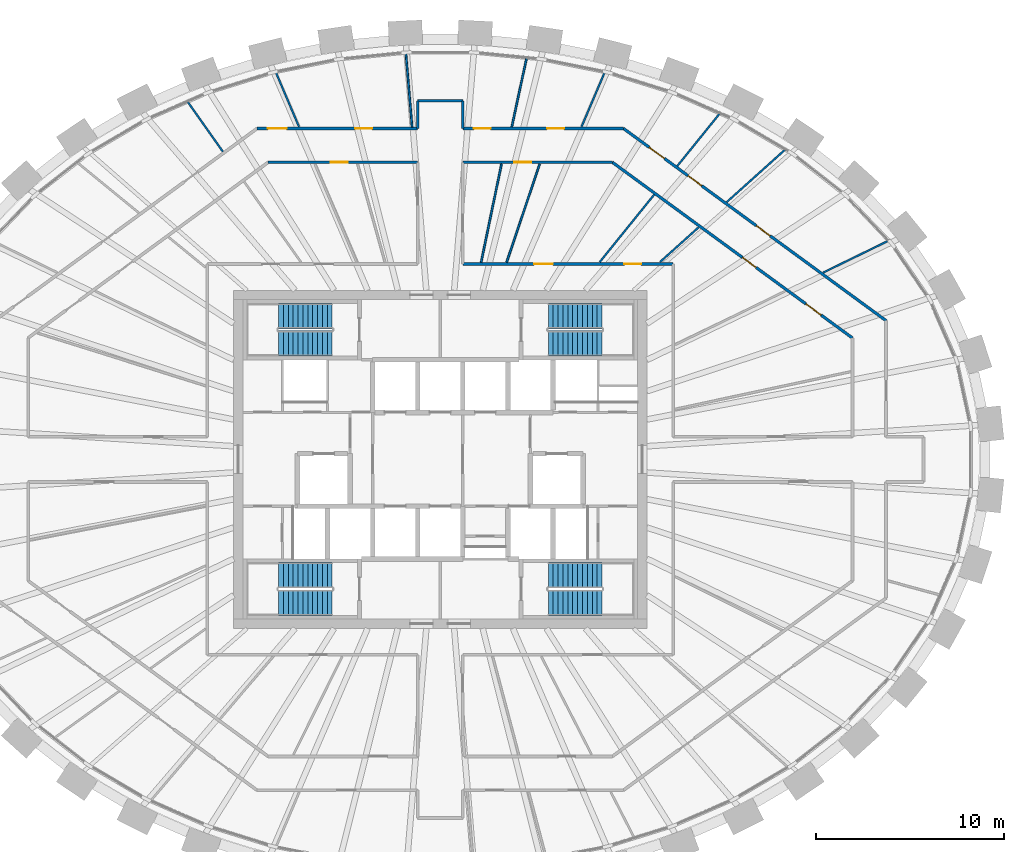
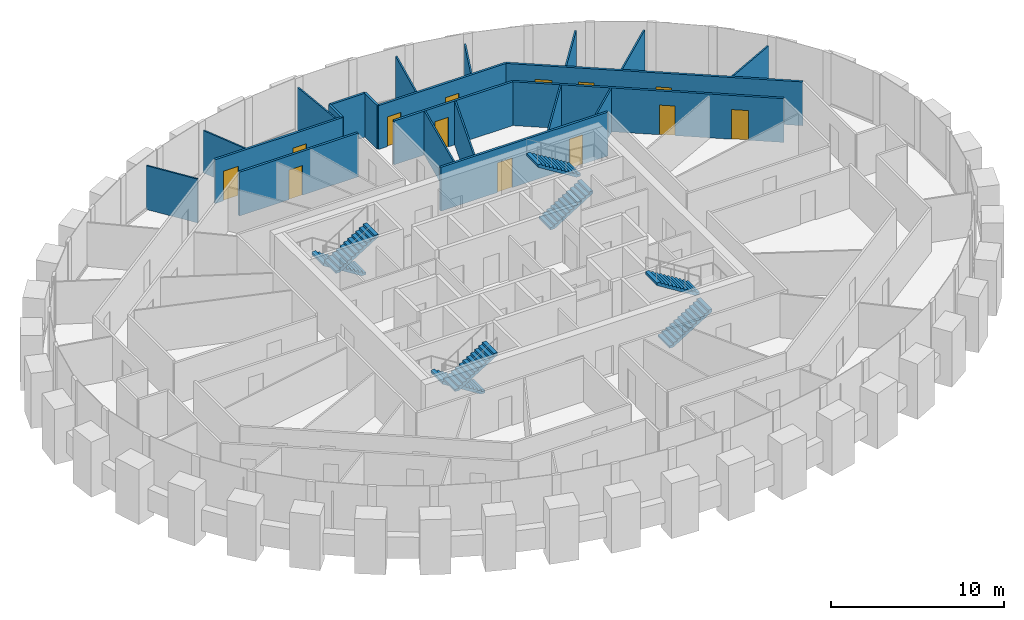
# One storey, part 10 of 11: 22 walls, 13 doors, 8 stair flights, 13 openings, 4 elements without a shape of their own.
"""IFC4 building model written with IfcOpenShell, lengths in metres."""

from ifc_helpers import new_model, si_unit, direction, frame, frame_2d, origin, place, context, subcontext, project, spatial, polyline, rectangle, outline, extrude, source, transform, mapped, material, layer, layer_set, type_object, element, fill, aggregate, save


model = new_model("IFC4")

# Units and contexts
model_context = context("Model", 3, precision=1e-05, world=origin(), true_north=direction((0.0, 1.0)))
body_context = subcontext(model_context, "Body", "Model", "MODEL_VIEW")
ifc_project = project(units=[si_unit("LENGTHUNIT", "METRE"), si_unit("AREAUNIT", "SQUARE_METRE"), si_unit("VOLUMEUNIT", "CUBIC_METRE"), si_unit("PLANEANGLEUNIT", "RADIAN"), si_unit("MASSUNIT", "GRAM", prefix="KILO")], contexts=[model_context])

# Site, building, storey
site_placement = place(None, origin())
site = spatial("IfcSite", under=ifc_project, at=site_placement, CompositionType="ELEMENT")
building_placement = place(site_placement, origin())
building = spatial("IfcBuilding", under=site, at=building_placement, Name="Embergate Tower", CompositionType="ELEMENT")
storey_placement = place(building_placement, frame((0.0, 0.0, 324.699951171875)))
storey = spatial("IfcBuildingStorey", under=building, at=storey_placement, Name="L76", CompositionType="ELEMENT", Elevation=324.699951171875)

# Wall, openings, doors
ifc_material_1 = material(Name="Corridor wall dry-lined 150")
ifc_layer_1 = layer(ifc_material_1, 0.14990234375)
ifc_layer_set_1 = layer_set([ifc_layer_1], Name="Corridor wall dry-lined 150")
wall_type_1 = type_object("IfcWallType", Name="Corridor wall dry-lined 150", PredefinedType="PARTITIONING", material=ifc_layer_set_1)
shared_shape_1 = source(origin(), body_context, "Body", "SweptSolid", [
    extrude(rectangle(XDim=11.199951171875, YDim=0.14990234375, at=frame_2d((5.60009765625, 0.0))), origin(), (0.0, 0.0, 1.0), 3.10009765625),
])
wall_1_placement = place(storey_placement, frame((12.39990234375, 10.39990234375, 0.0), z_axis=(0.0, 0.0, 1.0), x_axis=(-1.0, 0.0, 0.0)))
wall_1 = element("IfcWall", 1, at=wall_1_placement, inside=storey, type_object=wall_type_1, Name="IP-2 wall", PredefinedType="PARTITIONING", context=body_context, shape_type="MappedRepresentation", body=[
    mapped(shared_shape_1, transform((0.0, 0.0, 0.0))),
])
shared_shape_2 = source(origin(), body_context, "Body", "SweptSolid", [
    extrude(rectangle(XDim=0.89990234375, YDim=2.10009765625, at=frame_2d((0.449951171875, 1.050048828125))), frame((0.0, 0.0849609375, 0.0), z_axis=(0.0, -1.0, 0.0), x_axis=(1.0, 0.0, 0.0)), (0.0, 0.0, 1.0), 0.169921875),
])
opening_1_placement = place(wall_1_placement, frame((1.705078125, 0.0, 0.0)))
opening_1 = element("IfcOpeningElement", 2, at=opening_1_placement, cuts=wall_1, Name="Opening IF-1c", PredefinedType="OPENING", context=body_context, shape_type="MappedRepresentation", body=[
    mapped(shared_shape_2, transform((0.0, 0.0, 0.0))),
])
shared_shape_3 = source(origin(), body_context, "Body", "SweptSolid", [
    extrude(rectangle(XDim=1.0, YDim=2.10009765625, at=frame_2d((0.5, 1.050048828125))), frame((0.0, 0.0849609375, 0.0), z_axis=(0.0, -1.0, 0.0), x_axis=(1.0, 0.0, 0.0)), (0.0, 0.0, 1.0), 0.169921875),
])
opening_2_placement = place(wall_1_placement, frame((6.410888671875, 0.0, 0.0)))
opening_2 = element("IfcOpeningElement", 3, at=opening_2_placement, cuts=wall_1, Name="Opening ID-2", PredefinedType="OPENING", context=body_context, shape_type="MappedRepresentation", body=[
    mapped(shared_shape_3, transform((0.0, 0.0, 0.0))),
])
ifc_material_2 = material(Name="Escape fire door 900")
door_type_1 = type_object("IfcDoorType", Name="Escape fire door 900", OperationType="SINGLE_SWING_LEFT", PredefinedType="DOOR", material=ifc_material_2)
shared_shape_4 = source(origin(), body_context, "Body", "SweptSolid", [
    extrude(rectangle(XDim=0.89990234375, YDim=2.10009765625, at=frame_2d((0.449951171875, 1.050048828125))), frame((0.0, 0.02490234375, 0.0), z_axis=(0.0, -1.0, 0.0), x_axis=(1.0, 0.0, 0.0)), (0.0, 0.0, 1.0), 0.050048828125),
])
door_1_placement = place(opening_1_placement, origin())
door_1 = element("IfcDoor", 4, at=door_1_placement, inside=storey, type_object=door_type_1, Name="IF-1 door", OperationType="SINGLE_SWING_RIGHT", OverallHeight=2.10009765625, OverallWidth=0.89990234375, PredefinedType="DOOR", context=body_context, shape_type="MappedRepresentation", body=[
    mapped(shared_shape_4, transform((0.0, 0.0, 0.0))),
])
fill(opening_1, door_1)
ifc_material_3 = material(Name="Interior door 1000")
door_type_2 = type_object("IfcDoorType", Name="Interior door 1000", OperationType="SINGLE_SWING_LEFT", PredefinedType="DOOR", material=ifc_material_3)
shared_shape_5 = source(origin(), body_context, "Body", "SweptSolid", [
    extrude(rectangle(XDim=1.0, YDim=2.10009765625, at=frame_2d((0.5, 1.050048828125))), frame((0.0, 0.02490234375, 0.0), z_axis=(0.0, -1.0, 0.0), x_axis=(1.0, 0.0, 0.0)), (0.0, 0.0, 1.0), 0.050048828125),
])
door_2_placement = place(opening_2_placement, origin())
door_2 = element("IfcDoor", 5, at=door_2_placement, inside=storey, type_object=door_type_2, Name="ID-2 door", OperationType="SINGLE_SWING_RIGHT", OverallHeight=2.10009765625, OverallWidth=1.0, PredefinedType="DOOR", context=body_context, shape_type="MappedRepresentation", body=[
    mapped(shared_shape_5, transform((0.0, 0.0, 0.0))),
])
fill(opening_2, door_2)

# Wall
ifc_material_4 = material(Name="Corridor wall dry-lined 150 wet")
ifc_layer_2 = layer(ifc_material_4, 0.14990234375)
ifc_layer_set_2 = layer_set([ifc_layer_2], Name="Corridor wall dry-lined 150 wet")
wall_type_2 = type_object("IfcWallType", Name="Corridor wall dry-lined 150 wet", PredefinedType="PLUMBINGWALL", material=ifc_layer_set_2)
shared_shape_6 = source(origin(), body_context, "Body", "SweptSolid", [
    extrude(rectangle(XDim=2.39990234375, YDim=0.14990234375, at=frame_2d((1.199951171875, 0.0))), origin(), (0.0, 0.0, 1.0), 3.10009765625),
])
wall_2_placement = place(storey_placement, frame((-1.199951171875, 19.087890625, 0.0), z_axis=(0.0, 0.0, 1.0), x_axis=(1.0, 0.0, 0.0)))
element("IfcWall", 6, at=wall_2_placement, inside=storey, type_object=wall_type_2, Name="IP-2 wall", PredefinedType="PLUMBINGWALL", context=body_context, shape_type="MappedRepresentation", body=[
    mapped(shared_shape_6, transform((0.0, 0.0, 0.0))),
])

# Wall, openings, doors
shared_shape_7 = source(origin(), body_context, "Body", "SweptSolid", [
    extrude(rectangle(XDim=17.3251953125, YDim=0.14990234375, at=frame_2d((8.66259765625, 0.0))), origin(), (0.0, 0.0, 1.0), 3.10009765625),
])
wall_3_placement = place(storey_placement, frame((9.751953125, 17.611083984375, 0.0), z_axis=(0.0, 0.0, 1.0), x_axis=(0.806969554432, -0.590593039427, 0.0)))
wall_3 = element("IfcWall", 7, at=wall_3_placement, inside=storey, type_object=wall_type_1, Name="IP-2 wall", PredefinedType="PARTITIONING", context=body_context, shape_type="MappedRepresentation", body=[
    mapped(shared_shape_7, transform((0.0, 0.0, 0.0))),
])
opening_3_placement = place(wall_3_placement, frame((8.767578125, 0.0, 0.0)))
opening_3 = element("IfcOpeningElement", 8, at=opening_3_placement, cuts=wall_3, Name="Opening IF-1c", PredefinedType="OPENING", context=body_context, shape_type="MappedRepresentation", body=[
    mapped(shared_shape_2, transform((0.0, 0.0, 0.0))),
])
opening_4_placement = place(wall_3_placement, frame((4.255615234375, 0.0, 0.0)))
opening_4 = element("IfcOpeningElement", 9, at=opening_4_placement, cuts=wall_3, Name="Opening IF-1c", PredefinedType="OPENING", context=body_context, shape_type="MappedRepresentation", body=[
    mapped(shared_shape_2, transform((0.0, 0.0, 0.0))),
])
opening_5_placement = place(wall_3_placement, frame((1.69970703125, 0.0, 0.0)))
opening_5 = element("IfcOpeningElement", 10, at=opening_5_placement, cuts=wall_3, Name="Opening ID-2", PredefinedType="OPENING", context=body_context, shape_type="MappedRepresentation", body=[
    mapped(shared_shape_3, transform((0.0, 0.0, 0.0))),
])
door_3_placement = place(opening_3_placement, origin())
door_3 = element("IfcDoor", 11, at=door_3_placement, inside=storey, type_object=door_type_1, Name="IF-1 door", OperationType="SINGLE_SWING_LEFT", OverallHeight=2.10009765625, OverallWidth=0.89990234375, PredefinedType="DOOR", context=body_context, shape_type="MappedRepresentation", body=[
    mapped(shared_shape_4, transform((0.0, 0.0, 0.0))),
])
fill(opening_3, door_3)
door_4_placement = place(opening_4_placement, origin())
door_4 = element("IfcDoor", 12, at=door_4_placement, inside=storey, type_object=door_type_1, Name="IF-1 door", OperationType="SINGLE_SWING_LEFT", OverallHeight=2.10009765625, OverallWidth=0.89990234375, PredefinedType="DOOR", context=body_context, shape_type="MappedRepresentation", body=[
    mapped(shared_shape_4, transform((0.0, 0.0, 0.0))),
])
fill(opening_4, door_4)
door_5_placement = place(opening_5_placement, origin())
door_5 = element("IfcDoor", 13, at=door_5_placement, inside=storey, type_object=door_type_2, Name="ID-2 door", OperationType="SINGLE_SWING_LEFT", OverallHeight=2.10009765625, OverallWidth=1.0, PredefinedType="DOOR", context=body_context, shape_type="MappedRepresentation", body=[
    mapped(shared_shape_5, transform((0.0, 0.0, 0.0))),
])
fill(opening_5, door_5)

shared_shape_8 = source(origin(), body_context, "Body", "SweptSolid", [
    extrude(rectangle(XDim=15.82470703125, YDim=0.14990234375, at=frame_2d((7.912353515625, 0.0))), origin(), (0.0, 0.0, 1.0), 3.10009765625),
])
wall_4_placement = place(storey_placement, frame((9.1630859375, 15.81103515625, 0.0), z_axis=(0.0, 0.0, 1.0), x_axis=(0.80696917181, -0.590593562231, 0.0)))
wall_4 = element("IfcWall", 14, at=wall_4_placement, inside=storey, type_object=wall_type_1, Name="IP-2 wall", PredefinedType="PARTITIONING", context=body_context, shape_type="MappedRepresentation", body=[
    mapped(shared_shape_8, transform((0.0, 0.0, 0.0))),
])
opening_6_placement = place(wall_4_placement, frame((12.764892578125, 0.0, 0.0)))
opening_6 = element("IfcOpeningElement", 15, at=opening_6_placement, cuts=wall_4, Name="Opening ID-2", PredefinedType="OPENING", context=body_context, shape_type="MappedRepresentation", body=[
    mapped(shared_shape_3, transform((0.0, 0.0, 0.0))),
])
opening_7_placement = place(wall_4_placement, frame((8.576904296875, 0.0, 0.0)))
opening_7 = element("IfcOpeningElement", 16, at=opening_7_placement, cuts=wall_4, Name="Opening IF-1c", PredefinedType="OPENING", context=body_context, shape_type="MappedRepresentation", body=[
    mapped(shared_shape_2, transform((0.0, 0.0, 0.0))),
])
door_6_placement = place(opening_7_placement, origin())
door_6 = element("IfcDoor", 17, at=door_6_placement, inside=storey, type_object=door_type_1, Name="IF-1 door", OperationType="SINGLE_SWING_RIGHT", OverallHeight=2.10009765625, OverallWidth=0.89990234375, PredefinedType="DOOR", context=body_context, shape_type="MappedRepresentation", body=[
    mapped(shared_shape_4, transform((0.0, 0.0, 0.0))),
])
fill(opening_7, door_6)
door_7_placement = place(opening_6_placement, origin())
door_7 = element("IfcDoor", 18, at=door_7_placement, inside=storey, type_object=door_type_2, Name="ID-2 door", OperationType="SINGLE_SWING_LEFT", OverallHeight=2.10009765625, OverallWidth=1.0, PredefinedType="DOOR", context=body_context, shape_type="MappedRepresentation", body=[
    mapped(shared_shape_5, transform((0.0, 0.0, 0.0))),
])
fill(opening_6, door_7)

shared_shape_9 = source(origin(), body_context, "Body", "SweptSolid", [
    extrude(rectangle(XDim=8.552001953125, YDim=0.14990234375, at=frame_2d((4.27587890625, 0.0))), origin(), (0.0, 0.0, 1.0), 3.10009765625),
])
wall_5_placement = place(storey_placement, frame((9.751953125, 17.611083984375, 0.0), z_axis=(0.0, 0.0, 1.0), x_axis=(-1.0, 0.0, 0.0)))
wall_5 = element("IfcWall", 19, at=wall_5_placement, inside=storey, type_object=wall_type_1, Name="IP-2 wall", PredefinedType="PARTITIONING", context=body_context, shape_type="MappedRepresentation", body=[
    mapped(shared_shape_9, transform((0.0, 0.0, 0.0))),
])
opening_8_placement = place(wall_5_placement, frame((3.163818359375, 0.0, 0.0)))
opening_8 = element("IfcOpeningElement", 20, at=opening_8_placement, cuts=wall_5, Name="Opening IF-1c", PredefinedType="OPENING", context=body_context, shape_type="MappedRepresentation", body=[
    mapped(shared_shape_2, transform((0.0, 0.0, 0.0))),
])
opening_9_placement = place(wall_5_placement, frame((7.06884765625, 0.0, 0.0)))
opening_9 = element("IfcOpeningElement", 21, at=opening_9_placement, cuts=wall_5, Name="Opening IF-1c", PredefinedType="OPENING", context=body_context, shape_type="MappedRepresentation", body=[
    mapped(shared_shape_2, transform((0.0, 0.0, 0.0))),
])
door_8_placement = place(opening_8_placement, origin())
door_8 = element("IfcDoor", 22, at=door_8_placement, inside=storey, type_object=door_type_1, Name="IF-1 door", OperationType="SINGLE_SWING_RIGHT", OverallHeight=2.10009765625, OverallWidth=0.89990234375, PredefinedType="DOOR", context=body_context, shape_type="MappedRepresentation", body=[
    mapped(shared_shape_4, transform((0.0, 0.0, 0.0))),
])
fill(opening_8, door_8)
door_9_placement = place(opening_9_placement, origin())
door_9 = element("IfcDoor", 23, at=door_9_placement, inside=storey, type_object=door_type_1, Name="IF-1 door", OperationType="SINGLE_SWING_LEFT", OverallHeight=2.10009765625, OverallWidth=0.89990234375, PredefinedType="DOOR", context=body_context, shape_type="MappedRepresentation", body=[
    mapped(shared_shape_4, transform((0.0, 0.0, 0.0))),
])
fill(opening_9, door_9)

wall_6_placement = place(storey_placement, frame((-9.751953125, 17.611083984375, 0.0), z_axis=(0.0, 0.0, 1.0), x_axis=(1.0, 0.0, 0.0)))
wall_6 = element("IfcWall", 24, at=wall_6_placement, inside=storey, type_object=wall_type_2, Name="IP-2 wall", PredefinedType="PLUMBINGWALL", context=body_context, shape_type="MappedRepresentation", body=[
    mapped(shared_shape_9, transform((0.0, 0.0, 0.0))),
])
opening_10_placement = place(wall_6_placement, frame((5.2197265625, 0.0, 0.0)))
opening_10 = element("IfcOpeningElement", 25, at=opening_10_placement, cuts=wall_6, Name="Opening IF-1c", PredefinedType="OPENING", context=body_context, shape_type="MappedRepresentation", body=[
    mapped(shared_shape_2, transform((0.0, 0.0, 0.0))),
])
opening_11_placement = place(wall_6_placement, frame((0.576904296875, 0.0, 0.0)))
opening_11 = element("IfcOpeningElement", 26, at=opening_11_placement, cuts=wall_6, Name="Opening ID-2", PredefinedType="OPENING", context=body_context, shape_type="MappedRepresentation", body=[
    mapped(shared_shape_3, transform((0.0, 0.0, 0.0))),
])
door_10_placement = place(opening_10_placement, origin())
door_10 = element("IfcDoor", 27, at=door_10_placement, inside=storey, type_object=door_type_1, Name="IF-1 door", OperationType="SINGLE_SWING_LEFT", OverallHeight=2.10009765625, OverallWidth=0.89990234375, PredefinedType="DOOR", context=body_context, shape_type="MappedRepresentation", body=[
    mapped(shared_shape_4, transform((0.0, 0.0, 0.0))),
])
fill(opening_10, door_10)
door_11_placement = place(opening_11_placement, origin())
door_11 = element("IfcDoor", 28, at=door_11_placement, inside=storey, type_object=door_type_2, Name="ID-2 door", OperationType="SINGLE_SWING_LEFT", OverallHeight=2.10009765625, OverallWidth=1.0, PredefinedType="DOOR", context=body_context, shape_type="MappedRepresentation", body=[
    mapped(shared_shape_5, transform((0.0, 0.0, 0.0))),
])
fill(opening_11, door_11)

# Walls
shared_shape_10 = source(origin(), body_context, "Body", "SweptSolid", [
    extrude(rectangle(XDim=1.476806640625, YDim=0.14990234375, at=frame_2d((0.73828125, 0.0))), origin(), (0.0, 0.0, 1.0), 3.10009765625),
])
for number, where, z_axis, x_axis, name in (
    (29, (-1.199951171875, 17.611083984375, 0.0), (0.0, 0.0, 1.0), (0.0, 1.0, 0.0), "IP-2 wall"),
    (30, (1.199951171875, 19.087890625, 0.0), (0.0, 0.0, 1.0), (0.0, -1.0, 0.0), "IP-2 wall"),
):
    element("IfcWall", number, at=place(storey_placement, frame(where, z_axis=z_axis, x_axis=x_axis)), inside=storey, type_object=wall_type_2, Name=name, PredefinedType="PLUMBINGWALL", context=body_context, shape_type="MappedRepresentation", body=[
        mapped(shared_shape_10, transform((0.0, 0.0, 0.0))),
    ])

# Wall, opening, door
shared_shape_11 = source(origin(), body_context, "Body", "SweptSolid", [
    extrude(rectangle(XDim=7.963134765625, YDim=0.14990234375, at=frame_2d((3.9814453125, 0.0))), origin(), (0.0, 0.0, 1.0), 3.10009765625),
])
wall_7_placement = place(storey_placement, frame((1.199951171875, 15.81103515625, 0.0), z_axis=(0.0, 0.0, 1.0), x_axis=(1.0, 0.0, 0.0)))
wall_7 = element("IfcWall", 31, at=wall_7_placement, inside=storey, type_object=wall_type_1, Name="IP-2 wall", PredefinedType="PARTITIONING", context=body_context, shape_type="MappedRepresentation", body=[
    mapped(shared_shape_11, transform((0.0, 0.0, 0.0))),
])
opening_12_placement = place(wall_7_placement, frame((2.73095703125, 0.0, 0.0)))
opening_12 = element("IfcOpeningElement", 32, at=opening_12_placement, cuts=wall_7, Name="Opening IF-1c", PredefinedType="OPENING", context=body_context, shape_type="MappedRepresentation", body=[
    mapped(shared_shape_2, transform((0.0, 0.0, 0.0))),
])
door_12_placement = place(opening_12_placement, origin())
door_12 = element("IfcDoor", 33, at=door_12_placement, inside=storey, type_object=door_type_1, Name="IF-1 door", OperationType="SINGLE_SWING_RIGHT", OverallHeight=2.10009765625, OverallWidth=0.89990234375, PredefinedType="DOOR", context=body_context, shape_type="MappedRepresentation", body=[
    mapped(shared_shape_4, transform((0.0, 0.0, 0.0))),
])
fill(opening_12, door_12)

wall_8_placement = place(storey_placement, frame((-1.199951171875, 15.81103515625, 0.0), z_axis=(0.0, 0.0, 1.0), x_axis=(-1.0, 0.0, 0.0)))
wall_8 = element("IfcWall", 34, at=wall_8_placement, inside=storey, type_object=wall_type_2, Name="IP-2 wall", PredefinedType="PLUMBINGWALL", context=body_context, shape_type="MappedRepresentation", body=[
    mapped(shared_shape_11, transform((0.0, 0.0, 0.0))),
])
opening_13_placement = place(wall_8_placement, frame((3.73193359375, 0.0, 0.0)))
opening_13 = element("IfcOpeningElement", 35, at=opening_13_placement, cuts=wall_8, Name="Opening IF-1c", PredefinedType="OPENING", context=body_context, shape_type="MappedRepresentation", body=[
    mapped(shared_shape_2, transform((0.0, 0.0, 0.0))),
])
door_13_placement = place(opening_13_placement, origin())
door_13 = element("IfcDoor", 36, at=door_13_placement, inside=storey, type_object=door_type_1, Name="IF-1 door", OperationType="SINGLE_SWING_RIGHT", OverallHeight=2.10009765625, OverallWidth=0.89990234375, PredefinedType="DOOR", context=body_context, shape_type="MappedRepresentation", body=[
    mapped(shared_shape_4, transform((0.0, 0.0, 0.0))),
])
fill(opening_13, door_13)

# Walls
ifc_material_5 = material(Name="Partition dry-lined 100")
ifc_layer_3 = layer(ifc_material_5, 0.10009765625)
ifc_layer_set_3 = layer_set([ifc_layer_3], Name="Partition dry-lined 100")
wall_type_3 = type_object("IfcWallType", Name="Partition dry-lined 100", PredefinedType="PARTITIONING", material=ifc_layer_set_3)
shared_shape_12 = source(origin(), body_context, "Body", "SweptSolid", [
    extrude(rectangle(XDim=3.877685546875, YDim=0.10009765625, at=frame_2d((1.93896484375, 0.0))), origin(), (0.0, 0.0, 1.0), 3.0),
])
wall_9_placement = place(storey_placement, frame((20.389892578125, 9.947021484375, 0.0), z_axis=(0.0, 0.0, 1.0), x_axis=(0.898778732273, 0.438402543805, 0.0)))
element("IfcWall", 37, at=wall_9_placement, inside=storey, type_object=wall_type_3, Name="IP-1 wall", PredefinedType="PARTITIONING", context=body_context, shape_type="MappedRepresentation", body=[
    mapped(shared_shape_12, transform((0.0, 0.0, 0.0))),
])
shared_shape_13 = source(origin(), body_context, "Body", "SweptSolid", [
    extrude(rectangle(XDim=4.192138671875, YDim=0.10009765625, at=frame_2d((2.09619140625, 0.0))), origin(), (0.0, 0.0, 1.0), 3.10009765625),
])
wall_10_placement = place(storey_placement, frame((15.2470703125, 13.695068359375, 0.0), z_axis=(0.0, 0.0, 1.0), x_axis=(0.744003214363, 0.668176037447, 0.0)))
element("IfcWall", 38, at=wall_10_placement, inside=storey, type_object=wall_type_3, Name="IP-1 wall", PredefinedType="PARTITIONING", context=body_context, shape_type="MappedRepresentation", body=[
    mapped(shared_shape_13, transform((0.0, 0.0, 0.0))),
])
shared_shape_14 = source(origin(), body_context, "Body", "SweptSolid", [
    extrude(rectangle(XDim=3.6328125, YDim=0.10009765625, at=frame_2d((1.81640625, 0.0))), origin(), (0.0, 0.0, 1.0), 3.10009765625),
])
wall_11_placement = place(storey_placement, frame((12.613037109375, 15.610107421875, 0.0), z_axis=(0.0, 0.0, 1.0), x_axis=(0.628416881231, 0.777876740482, 0.0)))
element("IfcWall", 39, at=wall_11_placement, inside=storey, type_object=wall_type_3, Name="IP-1 wall", PredefinedType="PARTITIONING", context=body_context, shape_type="MappedRepresentation", body=[
    mapped(shared_shape_14, transform((0.0, 0.0, 0.0))),
])
ifc_material_6 = material(Name="Partition dry-lined 100 wet")
ifc_layer_4 = layer(ifc_material_6, 0.10009765625)
ifc_layer_set_4 = layer_set([ifc_layer_4], Name="Partition dry-lined 100 wet")
wall_type_4 = type_object("IfcWallType", Name="Partition dry-lined 100 wet", PredefinedType="PLUMBINGWALL", material=ifc_layer_set_4)
shared_shape_15 = source(origin(), body_context, "Body", "SweptSolid", [
    extrude(rectangle(XDim=3.1669921875, YDim=0.10009765625, at=frame_2d((1.58349609375, 0.0))), origin(), (0.0, 0.0, 1.0), 3.0),
])
for number, where, z_axis, x_axis, name in (
    (40, (7.52099609375, 17.7060546875, 0.0), (0.0, 0.0, 1.0), (0.390912099154, 0.920428014967, 0.0), "IP-1 wall"),
    (41, (-8.759033203125, 20.62109375, 0.0), (0.0, 0.0, 1.0), (0.390912099154, -0.920428014967, 0.0), "IP-1 wall"),
):
    element("IfcWall", number, at=place(storey_placement, frame(where, z_axis=z_axis, x_axis=x_axis)), inside=storey, type_object=wall_type_4, Name=name, PredefinedType="PLUMBINGWALL", context=body_context, shape_type="MappedRepresentation", body=[
        mapped(shared_shape_15, transform((0.0, 0.0, 0.0))),
    ])
shared_shape_16 = source(origin(), body_context, "Body", "SweptSolid", [
    extrude(rectangle(XDim=2.7490234375, YDim=0.10009765625, at=frame_2d((1.37451171875, 0.0))), origin(), (0.0, 0.0, 1.0), 3.10009765625),
])
wall_12_placement = place(storey_placement, frame((11.7041015625, 10.511962890625, 0.0), z_axis=(0.0, 0.0, 1.0), x_axis=(0.743885605378, 0.66830696997, 0.0)))
element("IfcWall", 42, at=wall_12_placement, inside=storey, type_object=wall_type_3, Name="IP-1 wall", PredefinedType="PARTITIONING", context=body_context, shape_type="MappedRepresentation", body=[
    mapped(shared_shape_16, transform((0.0, 0.0, 0.0))),
])
shared_shape_17 = source(origin(), body_context, "Body", "SweptSolid", [
    extrude(rectangle(XDim=4.60986328125, YDim=0.10009765625, at=frame_2d((2.304931640625, 0.0))), origin(), (0.0, 0.0, 1.0), 3.10009765625),
])
wall_13_placement = place(storey_placement, frame((8.489013671875, 10.506103515625, 0.0), z_axis=(0.0, 0.0, 1.0), x_axis=(0.628420928792, 0.777873470596, 0.0)))
element("IfcWall", 43, at=wall_13_placement, inside=storey, type_object=wall_type_3, Name="IP-1 wall", PredefinedType="PARTITIONING", context=body_context, shape_type="MappedRepresentation", body=[
    mapped(shared_shape_17, transform((0.0, 0.0, 0.0))),
])
shared_shape_18 = source(origin(), body_context, "Body", "SweptSolid", [
    extrude(rectangle(XDim=5.517333984375, YDim=0.10009765625, at=frame_2d((2.7587890625, 0.0))), origin(), (0.0, 0.0, 1.0), 3.10009765625),
])
wall_14_placement = place(storey_placement, frame((3.531005859375, 10.490966796875, 0.0), z_axis=(0.0, 0.0, 1.0), x_axis=(0.319000911792, 0.947754408207, 0.0)))
element("IfcWall", 44, at=wall_14_placement, inside=storey, type_object=wall_type_4, Name="IP-1 wall", PredefinedType="PLUMBINGWALL", context=body_context, shape_type="MappedRepresentation", body=[
    mapped(shared_shape_18, transform((0.0, 0.0, 0.0))),
])
shared_shape_19 = source(origin(), body_context, "Body", "SweptSolid", [
    extrude(rectangle(XDim=3.782470703125, YDim=0.10009765625, at=frame_2d((1.89111328125, 0.0))), origin(), (0.0, 0.0, 1.0), 3.10009765625),
])
wall_15_placement = place(storey_placement, frame((3.806884765625, 17.697021484375, 0.0), z_axis=(0.0, 0.0, 1.0), x_axis=(0.210221078053, 0.977653874509, 0.0)))
element("IfcWall", 45, at=wall_15_placement, inside=storey, type_object=wall_type_4, Name="IP-1 wall", PredefinedType="PLUMBINGWALL", context=body_context, shape_type="MappedRepresentation", body=[
    mapped(shared_shape_19, transform((0.0, 0.0, 0.0))),
])
shared_shape_20 = source(origin(), body_context, "Body", "SweptSolid", [
    extrude(rectangle(XDim=3.97021484375, YDim=0.10009765625, at=frame_2d((1.985107421875, 0.0))), origin(), (0.0, 0.0, 1.0), 3.0),
])
wall_16_placement = place(storey_placement, frame((-1.498046875, 17.68603515625, 0.0), z_axis=(0.0, 0.0, 1.0), x_axis=(-0.084368569091, 0.996434616294, 0.0)))
element("IfcWall", 46, at=wall_16_placement, inside=storey, type_object=wall_type_4, Name="IP-1 wall", PredefinedType="PLUMBINGWALL", context=body_context, shape_type="MappedRepresentation", body=[
    mapped(shared_shape_20, transform((0.0, 0.0, 0.0))),
])
shared_shape_21 = source(origin(), body_context, "Body", "SweptSolid", [
    extrude(rectangle(XDim=5.352294921875, YDim=0.10009765625, at=frame_2d((2.67626953125, 0.0))), origin(), (0.0, 0.0, 1.0), 3.10009765625),
])
wall_17_placement = place(storey_placement, frame((2.174072265625, 10.485107421875, 0.0), z_axis=(0.0, 0.0, 1.0), x_axis=(0.202892179752, 0.979201084249, 0.0)))
element("IfcWall", 47, at=wall_17_placement, inside=storey, type_object=wall_type_4, Name="IP-1 wall", PredefinedType="PLUMBINGWALL", context=body_context, shape_type="MappedRepresentation", body=[
    mapped(shared_shape_21, transform((0.0, 0.0, 0.0))),
])
shared_shape_22 = source(origin(), body_context, "Body", "SweptSolid", [
    extrude(rectangle(XDim=3.3017578125, YDim=0.10009765625, at=frame_2d((1.65087890625, 0.0))), origin(), (0.0, 0.0, 1.0), 3.10009765625),
])
wall_18_placement = place(storey_placement, frame((-11.568115234375, 16.375, 0.0), z_axis=(0.0, 0.0, 1.0), x_axis=(-0.57688638898, 0.816824396189, 0.0)))
element("IfcWall", 48, at=wall_18_placement, inside=storey, type_object=wall_type_3, Name="IP-1 wall", PredefinedType="PARTITIONING", context=body_context, shape_type="MappedRepresentation", body=[
    mapped(shared_shape_22, transform((0.0, 0.0, 0.0))),
])

# Stair, stair flights
ifc_material_7 = material(Name="Exit stair")
stair_type = type_object("IfcStairType", Name="Exit stair", PredefinedType="HALF_TURN_STAIR", material=ifc_material_7)
stair_1_placement = place(storey_placement, origin())
stair_1 = element("IfcStair", 49, at=stair_1_placement, inside=storey, type_object=stair_type, Name="L76 Exit stair 1", PredefinedType="HALF_TURN_STAIR")
ifc_material_8 = material(Name="Concrete C40", Category="concrete")
stair_flight_type = type_object("IfcStairFlightType", Name="Stair flight reinforced concrete", PredefinedType="STRAIGHT", material=ifc_material_8)
shared_shape_23 = source(origin(), body_context, "Body", "SweptSolid", [
    extrude(outline(polyline([(0.0, 0.0), (0.0, 0.16259765625), (0.260009765625, 0.16259765625), (0.260009765625, 0.324951171875), (0.52001953125, 0.324951171875), (0.52001953125, 0.487548828125), (0.780029296875, 0.487548828125), (0.780029296875, 0.64990234375), (1.0400390625, 0.64990234375), (1.0400390625, 0.8125), (1.300048828125, 0.8125), (1.300048828125, 0.97509765625), (1.56005859375, 0.97509765625), (1.56005859375, 1.137451171875), (1.820068359375, 1.137451171875), (1.820068359375, 1.300048828125), (2.080078125, 1.300048828125), (2.080078125, 1.46240234375), (2.340087890625, 1.46240234375), (2.340087890625, 1.625), (2.60009765625, 1.625), (2.60009765625, 1.78759765625), (2.860107421875, 1.78759765625), (2.860107421875, 1.949951171875), (2.860107421875, 1.61083984375), (0.28271484375, 0.0), (0.0, 0.0)])), frame((0.0, 0.675048828125, 0.0), z_axis=(0.0, -1.0, 0.0), x_axis=(1.0, 0.0, 0.0)), (0.0, 0.0, 1.0), 1.35009765625),
])
stair_flight_1_placement = place(storey_placement, frame((-5.75, 7.625, 0.0), z_axis=(0.0, 0.0, 1.0), x_axis=(-1.0, 0.0, 0.0)))
stair_flight_1 = element("IfcStairFlight", 50, at=stair_flight_1_placement, type_object=stair_flight_type, Name="ST1 flight 1", NumberOfRisers=12, NumberOfTreads=11, PredefinedType="STRAIGHT", RiserHeight=0.1625, TreadLength=0.26, context=body_context, shape_type="MappedRepresentation", body=[
    mapped(shared_shape_23, transform((0.0, 0.0, 0.0))),
])
stair_flight_2_placement = place(storey_placement, frame((-8.610107421875, 6.175048828125, 1.949951171875), z_axis=(0.0, 0.0, 1.0), x_axis=(1.0, 0.0, 0.0)))
stair_flight_2 = element("IfcStairFlight", 51, at=stair_flight_2_placement, type_object=stair_flight_type, Name="ST1 flight 2", NumberOfRisers=12, NumberOfTreads=11, PredefinedType="STRAIGHT", RiserHeight=0.1625, TreadLength=0.26, context=body_context, shape_type="MappedRepresentation", body=[
    mapped(shared_shape_23, transform((0.0, 0.0, 0.0))),
])
aggregate(stair_1, [stair_flight_1, stair_flight_2])

stair_2_placement = place(storey_placement, origin())
stair_2 = element("IfcStair", 52, at=stair_2_placement, inside=storey, type_object=stair_type, Name="L76 Exit stair 2", PredefinedType="HALF_TURN_STAIR")
stair_flight_3_placement = place(storey_placement, frame((5.75, 6.175048828125, 0.0), z_axis=(0.0, 0.0, 1.0), x_axis=(1.0, 0.0, 0.0)))
stair_flight_3 = element("IfcStairFlight", 53, at=stair_flight_3_placement, type_object=stair_flight_type, Name="ST2 flight 1", NumberOfRisers=12, NumberOfTreads=11, PredefinedType="STRAIGHT", RiserHeight=0.1625, TreadLength=0.26, context=body_context, shape_type="MappedRepresentation", body=[
    mapped(shared_shape_23, transform((0.0, 0.0, 0.0))),
])
stair_flight_4_placement = place(storey_placement, frame((8.610107421875, 7.625, 1.949951171875), z_axis=(0.0, 0.0, 1.0), x_axis=(-1.0, 0.0, 0.0)))
stair_flight_4 = element("IfcStairFlight", 54, at=stair_flight_4_placement, type_object=stair_flight_type, Name="ST2 flight 2", NumberOfRisers=12, NumberOfTreads=11, PredefinedType="STRAIGHT", RiserHeight=0.1625, TreadLength=0.26, context=body_context, shape_type="MappedRepresentation", body=[
    mapped(shared_shape_23, transform((0.0, 0.0, 0.0))),
])
aggregate(stair_2, [stair_flight_3, stair_flight_4])

stair_3_placement = place(storey_placement, origin())
stair_3 = element("IfcStair", 55, at=stair_3_placement, inside=storey, type_object=stair_type, Name="L76 Exit stair 3", PredefinedType="HALF_TURN_STAIR")
stair_flight_5_placement = place(storey_placement, frame((-5.75, -6.175048828125, 0.0), z_axis=(0.0, 0.0, 1.0), x_axis=(-1.0, 0.0, 0.0)))
stair_flight_5 = element("IfcStairFlight", 56, at=stair_flight_5_placement, type_object=stair_flight_type, Name="ST3 flight 1", NumberOfRisers=12, NumberOfTreads=11, PredefinedType="STRAIGHT", RiserHeight=0.1625, TreadLength=0.26, context=body_context, shape_type="MappedRepresentation", body=[
    mapped(shared_shape_23, transform((0.0, 0.0, 0.0))),
])
stair_flight_6_placement = place(storey_placement, frame((-8.610107421875, -7.625, 1.949951171875), z_axis=(0.0, 0.0, 1.0), x_axis=(1.0, 0.0, 0.0)))
stair_flight_6 = element("IfcStairFlight", 57, at=stair_flight_6_placement, type_object=stair_flight_type, Name="ST3 flight 2", NumberOfRisers=12, NumberOfTreads=11, PredefinedType="STRAIGHT", RiserHeight=0.1625, TreadLength=0.26, context=body_context, shape_type="MappedRepresentation", body=[
    mapped(shared_shape_23, transform((0.0, 0.0, 0.0))),
])
aggregate(stair_3, [stair_flight_5, stair_flight_6])

stair_4_placement = place(storey_placement, origin())
stair_4 = element("IfcStair", 58, at=stair_4_placement, inside=storey, type_object=stair_type, Name="L76 Exit stair 4", PredefinedType="HALF_TURN_STAIR")
stair_flight_7_placement = place(storey_placement, frame((5.75, -7.625, 0.0), z_axis=(0.0, 0.0, 1.0), x_axis=(1.0, 0.0, 0.0)))
stair_flight_7 = element("IfcStairFlight", 59, at=stair_flight_7_placement, type_object=stair_flight_type, Name="ST4 flight 1", NumberOfRisers=12, NumberOfTreads=11, PredefinedType="STRAIGHT", RiserHeight=0.1625, TreadLength=0.26, context=body_context, shape_type="MappedRepresentation", body=[
    mapped(shared_shape_23, transform((0.0, 0.0, 0.0))),
])
stair_flight_8_placement = place(storey_placement, frame((8.610107421875, -6.175048828125, 1.949951171875), z_axis=(0.0, 0.0, 1.0), x_axis=(-1.0, 0.0, 0.0)))
stair_flight_8 = element("IfcStairFlight", 60, at=stair_flight_8_placement, type_object=stair_flight_type, Name="ST4 flight 2", NumberOfRisers=12, NumberOfTreads=11, PredefinedType="STRAIGHT", RiserHeight=0.1625, TreadLength=0.26, context=body_context, shape_type="MappedRepresentation", body=[
    mapped(shared_shape_23, transform((0.0, 0.0, 0.0))),
])
aggregate(stair_4, [stair_flight_7, stair_flight_8])

save(model, "model.ifc")
